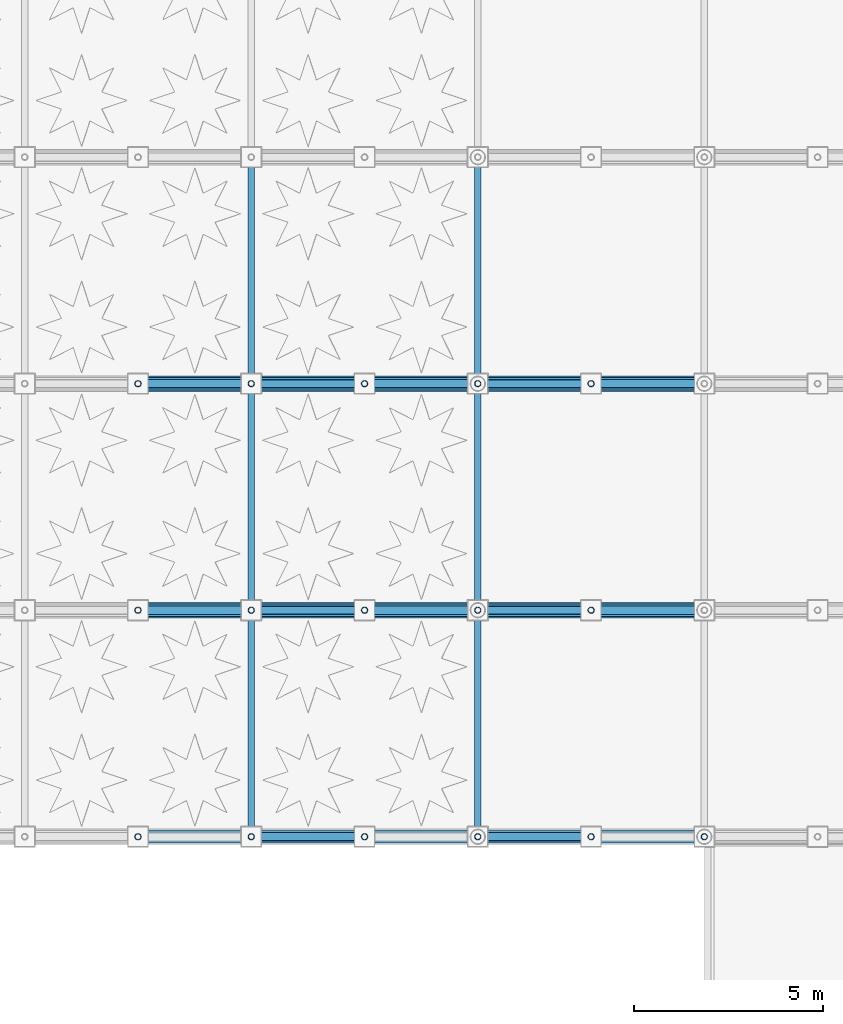
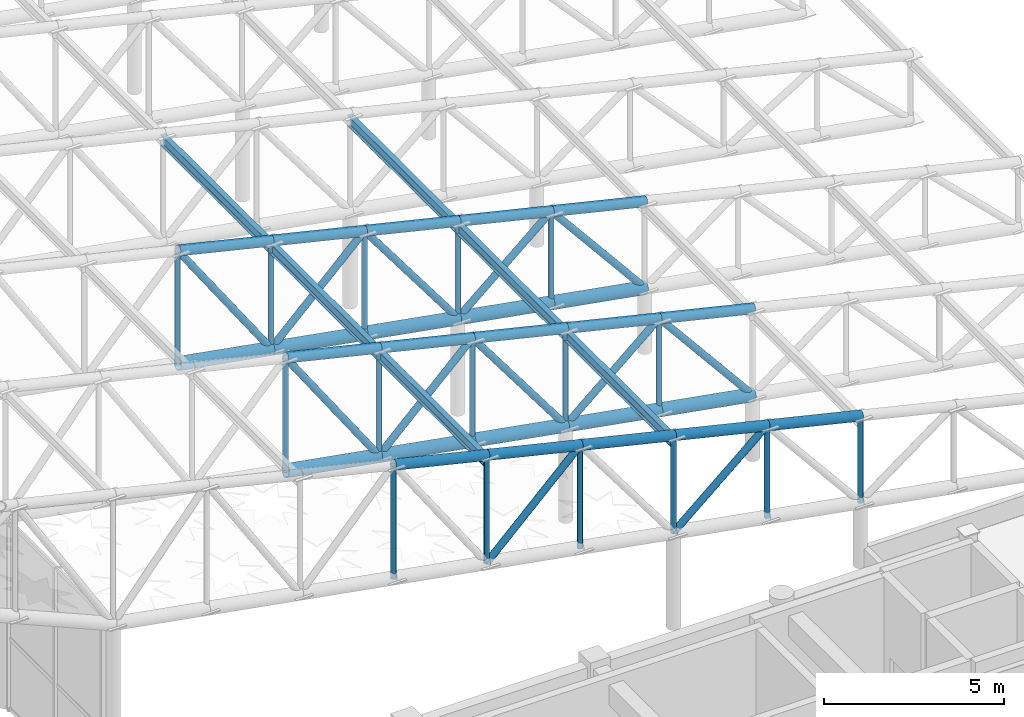
# One storey, part 57 of 112: 53 members, 6 beams.
"""IFC4 building model written with IfcOpenShell, lengths in metres."""

from ifc_helpers import new_model, si_unit, direction, frame, origin, origin_2d, place, context, subcontext, project, spatial, hollow_circle, i_section, extrude, material, material_profile, profile_set, type_object, element, save


model = new_model("IFC4")

# Units and contexts
model_context = context("Model", 3, precision=1e-05, world=origin(), true_north=direction((0.0, 1.0)))
body_context = subcontext(model_context, "Body", "Model", "MODEL_VIEW")
ifc_project = project(units=[si_unit("LENGTHUNIT", "METRE"), si_unit("AREAUNIT", "SQUARE_METRE"), si_unit("VOLUMEUNIT", "CUBIC_METRE"), si_unit("PLANEANGLEUNIT", "RADIAN"), si_unit("MASSUNIT", "GRAM", prefix="KILO"), si_unit("THERMODYNAMICTEMPERATUREUNIT", "KELVIN"), si_unit("POWERUNIT", "WATT")], contexts=[model_context])

# Site, building, storey
site_placement = place(None, origin())
site = spatial("IfcSite", under=ifc_project, at=site_placement, CompositionType="ELEMENT")
building_placement = place(site_placement, origin())
building = spatial("IfcBuilding", under=site, at=building_placement, Name="Phaisarnlok Congress Hotel", CompositionType="ELEMENT")
storey_placement = place(building_placement, frame((0.0, 0.0, 19.800048828125)))
storey = spatial("IfcBuildingStorey", under=building, at=storey_placement, Name="L04", CompositionType="ELEMENT", Elevation=19.800048828125)

# Beams
ifc_material = material(Name="Steel S355", Category="steel")
ifc_material_profile_1 = material_profile(ifc_material, i_section(OverallWidth=0.169921875, OverallDepth=0.360107421875, WebThickness=0.008056640625, FlangeThickness=0.0126953125, FilletRadius=0.01806640625, at=origin_2d()), Name="IPE 360")
ifc_profile_set_1 = profile_set([ifc_material_profile_1], Name="Steel S355")
beam_type = type_object("IfcBeamType", Name="JS-STL-IPE360", PredefinedType="JOIST", material=ifc_profile_set_1)
for number, where, z_axis, x_axis, name in (
    (1, (138.0, 48.0, 6.30419921875), (0.0, 1.0, 0.0), (-1.0, 0.0, 0.0), "Cloister wing roof purlin"),
    (2, (132.0, 48.0, 7.736328125), (0.0, 1.0, 0.0), (-1.0, 0.0, 0.0), "Cloister wing roof purlin"),
    (3, (138.0, 54.0, 6.30419921875), (0.0, 1.0, 0.0), (-1.0, 0.0, 0.0), "Cloister wing roof purlin"),
    (4, (132.0, 54.0, 7.736328125), (0.0, 1.0, 0.0), (-1.0, 0.0, 0.0), "Cloister wing roof purlin"),
    (5, (138.0, 60.0, 6.30419921875), (0.0, 1.0, 0.0), (-1.0, 0.0, 0.0), "Cloister wing roof purlin"),
    (6, (132.0, 60.0, 7.736328125), (0.0, 1.0, 0.0), (-1.0, 0.0, 0.0), "Cloister wing roof purlin"),
):
    element("IfcBeam", number, at=place(storey_placement, frame(where, z_axis=z_axis, x_axis=x_axis)), inside=storey, type_object=beam_type, Name=name, PredefinedType="JOIST", context=body_context, shape_type="SweptSolid", body=[
        extrude(i_section(OverallWidth=0.169921875, OverallDepth=0.360107421875, WebThickness=0.008056640625, FlangeThickness=0.0126953125, FilletRadius=0.01806640625, at=origin_2d()), origin(), (0.0, 0.0, 1.0), 6.0),
    ])

# Members
ifc_material_profile_2 = material_profile(ifc_material, hollow_circle(Radius=0.084228515625, WallThickness=0.010009765625, at=origin_2d()), Name="CHS 168.3x10")
ifc_profile_set_2 = profile_set([ifc_material_profile_2], Name="Steel S355")
member_type_1 = type_object("IfcMemberType", Name="MEM-BRC-CHS168", PredefinedType="BRACE", material=ifc_profile_set_2)
member_1_placement = place(storey_placement, frame((144.0, 48.0, 2.13330078125), z_axis=(0.0, 0.0, 1.0), x_axis=(1.0, 0.0, 0.0)))
element("IfcMember", 7, at=member_1_placement, inside=storey, type_object=member_type_1, Name="Cloister wing roof truss vertical web", PredefinedType="BRACE", context=body_context, shape_type="SweptSolid", body=[
    extrude(hollow_circle(Radius=0.084228515625, WallThickness=0.010009765625, at=origin_2d()), origin(), (0.0, 0.0, 1.0), 2.930908203125),
])
member_2_placement = place(storey_placement, frame((141.0, 48.0, 2.66650390625), z_axis=(0.0, 0.0, 1.0), x_axis=(1.0, 0.0, 0.0)))
element("IfcMember", 8, at=member_2_placement, inside=storey, type_object=member_type_1, Name="Cloister wing roof truss vertical web", PredefinedType="BRACE", context=body_context, shape_type="SweptSolid", body=[
    extrude(hollow_circle(Radius=0.084228515625, WallThickness=0.010009765625, at=origin_2d()), origin(), (0.0, 0.0, 1.0), 3.11376953125),
])
member_3_placement = place(storey_placement, frame((138.0, 48.0, 3.199951171875), z_axis=(0.0, 0.0, 1.0), x_axis=(1.0, 0.0, 0.0)))
element("IfcMember", 9, at=member_3_placement, inside=storey, type_object=member_type_1, Name="Cloister wing roof truss vertical web", PredefinedType="BRACE", context=body_context, shape_type="SweptSolid", body=[
    extrude(hollow_circle(Radius=0.084228515625, WallThickness=0.010009765625, at=origin_2d()), origin(), (0.0, 0.0, 1.0), 3.29638671875),
])
member_4_placement = place(storey_placement, frame((135.0, 48.0, 3.7333984375), z_axis=(0.0, 0.0, 1.0), x_axis=(1.0, 0.0, 0.0)))
element("IfcMember", 10, at=member_4_placement, inside=storey, type_object=member_type_1, Name="Cloister wing roof truss vertical web", PredefinedType="BRACE", context=body_context, shape_type="SweptSolid", body=[
    extrude(hollow_circle(Radius=0.084228515625, WallThickness=0.010009765625, at=origin_2d()), origin(), (0.0, 0.0, 1.0), 3.47900390625),
])
member_5_placement = place(storey_placement, frame((132.0, 48.0, 4.2666015625), z_axis=(0.0, 0.0, 1.0), x_axis=(1.0, 0.0, 0.0)))
element("IfcMember", 11, at=member_5_placement, inside=storey, type_object=member_type_1, Name="Cloister wing roof truss vertical web", PredefinedType="BRACE", context=body_context, shape_type="SweptSolid", body=[
    extrude(hollow_circle(Radius=0.084228515625, WallThickness=0.010009765625, at=origin_2d()), origin(), (0.0, 0.0, 1.0), 3.661865234375),
])
member_6_placement = place(storey_placement, frame((129.0, 48.0, 4.800048828125), z_axis=(0.0, 0.0, 1.0), x_axis=(1.0, 0.0, 0.0)))
element("IfcMember", 12, at=member_6_placement, inside=storey, type_object=member_type_1, Name="Cloister wing roof truss vertical web", PredefinedType="BRACE", context=body_context, shape_type="SweptSolid", body=[
    extrude(hollow_circle(Radius=0.084228515625, WallThickness=0.010009765625, at=origin_2d()), origin(), (0.0, 0.0, 1.0), 3.84423828125),
])
member_7_placement = place(storey_placement, frame((141.0, 54.0, 2.66650390625), z_axis=(0.0, 0.0, 1.0), x_axis=(1.0, 0.0, 0.0)))
element("IfcMember", 13, at=member_7_placement, inside=storey, type_object=member_type_1, Name="Cloister wing roof truss vertical web", PredefinedType="BRACE", context=body_context, shape_type="SweptSolid", body=[
    extrude(hollow_circle(Radius=0.084228515625, WallThickness=0.010009765625, at=origin_2d()), origin(), (0.0, 0.0, 1.0), 3.11376953125),
])
member_8_placement = place(storey_placement, frame((138.0, 54.0, 3.199951171875), z_axis=(0.0, 0.0, 1.0), x_axis=(1.0, 0.0, 0.0)))
element("IfcMember", 14, at=member_8_placement, inside=storey, type_object=member_type_1, Name="Cloister wing roof truss vertical web", PredefinedType="BRACE", context=body_context, shape_type="SweptSolid", body=[
    extrude(hollow_circle(Radius=0.084228515625, WallThickness=0.010009765625, at=origin_2d()), origin(), (0.0, 0.0, 1.0), 3.29638671875),
])
member_9_placement = place(storey_placement, frame((135.0, 54.0, 3.7333984375), z_axis=(0.0, 0.0, 1.0), x_axis=(1.0, 0.0, 0.0)))
element("IfcMember", 15, at=member_9_placement, inside=storey, type_object=member_type_1, Name="Cloister wing roof truss vertical web", PredefinedType="BRACE", context=body_context, shape_type="SweptSolid", body=[
    extrude(hollow_circle(Radius=0.084228515625, WallThickness=0.010009765625, at=origin_2d()), origin(), (0.0, 0.0, 1.0), 3.47900390625),
])
member_10_placement = place(storey_placement, frame((132.0, 54.0, 4.2666015625), z_axis=(0.0, 0.0, 1.0), x_axis=(1.0, 0.0, 0.0)))
element("IfcMember", 16, at=member_10_placement, inside=storey, type_object=member_type_1, Name="Cloister wing roof truss vertical web", PredefinedType="BRACE", context=body_context, shape_type="SweptSolid", body=[
    extrude(hollow_circle(Radius=0.084228515625, WallThickness=0.010009765625, at=origin_2d()), origin(), (0.0, 0.0, 1.0), 3.661865234375),
])
member_11_placement = place(storey_placement, frame((129.0, 54.0, 4.800048828125), z_axis=(0.0, 0.0, 1.0), x_axis=(1.0, 0.0, 0.0)))
element("IfcMember", 17, at=member_11_placement, inside=storey, type_object=member_type_1, Name="Cloister wing roof truss vertical web", PredefinedType="BRACE", context=body_context, shape_type="SweptSolid", body=[
    extrude(hollow_circle(Radius=0.084228515625, WallThickness=0.010009765625, at=origin_2d()), origin(), (0.0, 0.0, 1.0), 3.84423828125),
])
member_12_placement = place(storey_placement, frame((141.0, 60.0, 2.66650390625), z_axis=(0.0, 0.0, 1.0), x_axis=(1.0, 0.0, 0.0)))
element("IfcMember", 18, at=member_12_placement, inside=storey, type_object=member_type_1, Name="Cloister wing roof truss vertical web", PredefinedType="BRACE", context=body_context, shape_type="SweptSolid", body=[
    extrude(hollow_circle(Radius=0.084228515625, WallThickness=0.010009765625, at=origin_2d()), origin(), (0.0, 0.0, 1.0), 3.11376953125),
])
member_13_placement = place(storey_placement, frame((138.0, 60.0, 3.199951171875), z_axis=(0.0, 0.0, 1.0), x_axis=(1.0, 0.0, 0.0)))
element("IfcMember", 19, at=member_13_placement, inside=storey, type_object=member_type_1, Name="Cloister wing roof truss vertical web", PredefinedType="BRACE", context=body_context, shape_type="SweptSolid", body=[
    extrude(hollow_circle(Radius=0.084228515625, WallThickness=0.010009765625, at=origin_2d()), origin(), (0.0, 0.0, 1.0), 3.29638671875),
])
member_14_placement = place(storey_placement, frame((135.0, 60.0, 3.7333984375), z_axis=(0.0, 0.0, 1.0), x_axis=(1.0, 0.0, 0.0)))
element("IfcMember", 20, at=member_14_placement, inside=storey, type_object=member_type_1, Name="Cloister wing roof truss vertical web", PredefinedType="BRACE", context=body_context, shape_type="SweptSolid", body=[
    extrude(hollow_circle(Radius=0.084228515625, WallThickness=0.010009765625, at=origin_2d()), origin(), (0.0, 0.0, 1.0), 3.47900390625),
])
member_15_placement = place(storey_placement, frame((132.0, 60.0, 4.2666015625), z_axis=(0.0, 0.0, 1.0), x_axis=(1.0, 0.0, 0.0)))
element("IfcMember", 21, at=member_15_placement, inside=storey, type_object=member_type_1, Name="Cloister wing roof truss vertical web", PredefinedType="BRACE", context=body_context, shape_type="SweptSolid", body=[
    extrude(hollow_circle(Radius=0.084228515625, WallThickness=0.010009765625, at=origin_2d()), origin(), (0.0, 0.0, 1.0), 3.661865234375),
])
member_16_placement = place(storey_placement, frame((129.0, 60.0, 4.800048828125), z_axis=(0.0, 0.0, 1.0), x_axis=(1.0, 0.0, 0.0)))
element("IfcMember", 22, at=member_16_placement, inside=storey, type_object=member_type_1, Name="Cloister wing roof truss vertical web", PredefinedType="BRACE", context=body_context, shape_type="SweptSolid", body=[
    extrude(hollow_circle(Radius=0.084228515625, WallThickness=0.010009765625, at=origin_2d()), origin(), (0.0, 0.0, 1.0), 3.84423828125),
])
ifc_material_profile_3 = material_profile(ifc_material, hollow_circle(Radius=0.109619140625, WallThickness=0.012451171875, at=origin_2d()), Name="CHS 219.1x12.5")
ifc_profile_set_3 = profile_set([ifc_material_profile_3], Name="Steel S355")
member_type_2 = type_object("IfcMemberType", Name="MEM-BRC-CHS219", PredefinedType="BRACE", material=ifc_profile_set_3)
member_17_placement = place(storey_placement, frame((138.0, 48.0, 3.199951171875), z_axis=(0.758144932989, 0.0, 0.652086083721), x_axis=(0.0, 1.0, 0.0)))
element("IfcMember", 23, at=member_17_placement, inside=storey, type_object=member_type_2, Name="Cloister wing roof truss diagonal brace", PredefinedType="BRACE", context=body_context, shape_type="SweptSolid", body=[
    extrude(hollow_circle(Radius=0.109619140625, WallThickness=0.012451171875, at=origin_2d()), origin(), (0.0, 0.0, 1.0), 3.95703125),
])
member_18_placement = place(storey_placement, frame((132.0, 48.0, 4.2666015625), z_axis=(0.713522801545, 0.0, 0.700632008743), x_axis=(0.0, 1.0, 0.0)))
element("IfcMember", 24, at=member_18_placement, inside=storey, type_object=member_type_2, Name="Cloister wing roof truss diagonal brace", PredefinedType="BRACE", context=body_context, shape_type="SweptSolid", body=[
    extrude(hollow_circle(Radius=0.109619140625, WallThickness=0.012451171875, at=origin_2d()), origin(), (0.0, 0.0, 1.0), 4.20458984375),
])
member_19_placement = place(storey_placement, frame((144.0, 54.0, 2.13330078125), z_axis=(-0.635279491177, 0.0, 0.772282311133), x_axis=(0.0, -1.0, 0.0)))
element("IfcMember", 25, at=member_19_placement, inside=storey, type_object=member_type_2, Name="Cloister wing roof truss diagonal brace", PredefinedType="BRACE", context=body_context, shape_type="SweptSolid", body=[
    extrude(hollow_circle(Radius=0.109619140625, WallThickness=0.012451171875, at=origin_2d()), origin(), (0.0, 0.0, 1.0), 4.722412109375),
])
member_20_placement = place(storey_placement, frame((138.0, 54.0, 3.199951171875), z_axis=(0.758144932989, 0.0, 0.652086083721), x_axis=(0.0, 1.0, 0.0)))
element("IfcMember", 26, at=member_20_placement, inside=storey, type_object=member_type_2, Name="Cloister wing roof truss diagonal brace", PredefinedType="BRACE", context=body_context, shape_type="SweptSolid", body=[
    extrude(hollow_circle(Radius=0.109619140625, WallThickness=0.012451171875, at=origin_2d()), origin(), (0.0, 0.0, 1.0), 3.95703125),
])
member_21_placement = place(storey_placement, frame((138.0, 54.0, 3.199951171875), z_axis=(-0.598806398303, 0.0, 0.800893811533), x_axis=(0.0, -1.0, 0.0)))
element("IfcMember", 27, at=member_21_placement, inside=storey, type_object=member_type_2, Name="Cloister wing roof truss diagonal brace", PredefinedType="BRACE", context=body_context, shape_type="SweptSolid", body=[
    extrude(hollow_circle(Radius=0.109619140625, WallThickness=0.012451171875, at=origin_2d()), origin(), (0.0, 0.0, 1.0), 5.010009765625),
])
member_22_placement = place(storey_placement, frame((132.0, 54.0, 4.2666015625), z_axis=(0.713522801545, 0.0, 0.700632008743), x_axis=(0.0, 1.0, 0.0)))
element("IfcMember", 28, at=member_22_placement, inside=storey, type_object=member_type_2, Name="Cloister wing roof truss diagonal brace", PredefinedType="BRACE", context=body_context, shape_type="SweptSolid", body=[
    extrude(hollow_circle(Radius=0.109619140625, WallThickness=0.012451171875, at=origin_2d()), origin(), (0.0, 0.0, 1.0), 4.20458984375),
])
member_23_placement = place(storey_placement, frame((132.0, 54.0, 4.2666015625), z_axis=(-0.565292311671, 0.0, 0.824890660855), x_axis=(0.0, -1.0, 0.0)))
element("IfcMember", 29, at=member_23_placement, inside=storey, type_object=member_type_2, Name="Cloister wing roof truss diagonal brace", PredefinedType="BRACE", context=body_context, shape_type="SweptSolid", body=[
    extrude(hollow_circle(Radius=0.109619140625, WallThickness=0.012451171875, at=origin_2d()), origin(), (0.0, 0.0, 1.0), 5.306884765625),
])
member_24_placement = place(storey_placement, frame((144.0, 60.0, 2.13330078125), z_axis=(-0.635279491177, 0.0, 0.772282311133), x_axis=(0.0, -1.0, 0.0)))
element("IfcMember", 30, at=member_24_placement, inside=storey, type_object=member_type_2, Name="Cloister wing roof truss diagonal brace", PredefinedType="BRACE", context=body_context, shape_type="SweptSolid", body=[
    extrude(hollow_circle(Radius=0.109619140625, WallThickness=0.012451171875, at=origin_2d()), origin(), (0.0, 0.0, 1.0), 4.722412109375),
])
member_25_placement = place(storey_placement, frame((138.0, 60.0, 3.199951171875), z_axis=(0.758144932989, 0.0, 0.652086083721), x_axis=(0.0, 1.0, 0.0)))
element("IfcMember", 31, at=member_25_placement, inside=storey, type_object=member_type_2, Name="Cloister wing roof truss diagonal brace", PredefinedType="BRACE", context=body_context, shape_type="SweptSolid", body=[
    extrude(hollow_circle(Radius=0.109619140625, WallThickness=0.012451171875, at=origin_2d()), origin(), (0.0, 0.0, 1.0), 3.95703125),
])
member_26_placement = place(storey_placement, frame((138.0, 60.0, 3.199951171875), z_axis=(-0.598806398303, 0.0, 0.800893811533), x_axis=(0.0, -1.0, 0.0)))
element("IfcMember", 32, at=member_26_placement, inside=storey, type_object=member_type_2, Name="Cloister wing roof truss diagonal brace", PredefinedType="BRACE", context=body_context, shape_type="SweptSolid", body=[
    extrude(hollow_circle(Radius=0.109619140625, WallThickness=0.012451171875, at=origin_2d()), origin(), (0.0, 0.0, 1.0), 5.010009765625),
])
member_27_placement = place(storey_placement, frame((132.0, 60.0, 4.2666015625), z_axis=(0.713522801545, 0.0, 0.700632008743), x_axis=(0.0, 1.0, 0.0)))
element("IfcMember", 33, at=member_27_placement, inside=storey, type_object=member_type_2, Name="Cloister wing roof truss diagonal brace", PredefinedType="BRACE", context=body_context, shape_type="SweptSolid", body=[
    extrude(hollow_circle(Radius=0.109619140625, WallThickness=0.012451171875, at=origin_2d()), origin(), (0.0, 0.0, 1.0), 4.20458984375),
])
member_28_placement = place(storey_placement, frame((132.0, 60.0, 4.2666015625), z_axis=(-0.565292311671, 0.0, 0.824890660855), x_axis=(0.0, -1.0, 0.0)))
element("IfcMember", 34, at=member_28_placement, inside=storey, type_object=member_type_2, Name="Cloister wing roof truss diagonal brace", PredefinedType="BRACE", context=body_context, shape_type="SweptSolid", body=[
    extrude(hollow_circle(Radius=0.109619140625, WallThickness=0.012451171875, at=origin_2d()), origin(), (0.0, 0.0, 1.0), 5.306884765625),
])
ifc_material_profile_4 = material_profile(ifc_material, hollow_circle(Radius=0.161865234375, WallThickness=0.01611328125, at=origin_2d()), Name="CHS 323.9x16")
ifc_profile_set_4 = profile_set([ifc_material_profile_4], Name="Steel S355")
member_type_3 = type_object("IfcMemberType", Name="MEM-CHD-CHS324", PredefinedType="CHORD", material=ifc_profile_set_4)
for number, where, z_axis, x_axis, name in (
    (35, (144.0, 48.0, 5.064208984375), (-0.972676115692, 0.0, 0.232166263617), (0.0, -1.0, 0.0), "Cloister wing roof truss top chord"),
    (36, (141.0, 48.0, 5.7802734375), (-0.972676115692, 0.0, 0.232166263617), (0.0, -1.0, 0.0), "Cloister wing roof truss top chord"),
    (37, (138.0, 48.0, 6.496337890625), (-0.972676115692, 0.0, 0.232166263617), (0.0, -1.0, 0.0), "Cloister wing roof truss top chord"),
    (38, (135.0, 48.0, 7.21240234375), (-0.972676115692, 0.0, 0.232166263617), (0.0, -1.0, 0.0), "Cloister wing roof truss top chord"),
    (39, (132.0, 48.0, 7.928466796875), (-0.972693988482, 0.0, 0.232091371601), (0.0, -1.0, 0.0), "Cloister wing roof truss top chord"),
    (40, (144.0, 54.0, 5.064208984375), (-0.972676115692, 0.0, 0.232166263617), (0.0, -1.0, 0.0), "Cloister wing roof truss top chord"),
    (41, (141.0, 54.0, 5.7802734375), (-0.972676115692, 0.0, 0.232166263617), (0.0, -1.0, 0.0), "Cloister wing roof truss top chord"),
    (42, (138.0, 54.0, 6.496337890625), (-0.972676115692, 0.0, 0.232166263617), (0.0, -1.0, 0.0), "Cloister wing roof truss top chord"),
    (43, (135.0, 54.0, 7.21240234375), (-0.972676115692, 0.0, 0.232166263617), (0.0, -1.0, 0.0), "Cloister wing roof truss top chord"),
    (44, (132.0, 54.0, 7.928466796875), (-0.972693988482, 0.0, 0.232091371601), (0.0, -1.0, 0.0), "Cloister wing roof truss top chord"),
    (45, (144.0, 60.0, 5.064208984375), (-0.972676115692, 0.0, 0.232166263617), (0.0, -1.0, 0.0), "Cloister wing roof truss top chord"),
    (46, (141.0, 60.0, 5.7802734375), (-0.972676115692, 0.0, 0.232166263617), (0.0, -1.0, 0.0), "Cloister wing roof truss top chord"),
    (47, (138.0, 60.0, 6.496337890625), (-0.972676115692, 0.0, 0.232166263617), (0.0, -1.0, 0.0), "Cloister wing roof truss top chord"),
    (48, (135.0, 60.0, 7.21240234375), (-0.972676115692, 0.0, 0.232166263617), (0.0, -1.0, 0.0), "Cloister wing roof truss top chord"),
    (49, (132.0, 60.0, 7.928466796875), (-0.972693988482, 0.0, 0.232091371601), (0.0, -1.0, 0.0), "Cloister wing roof truss top chord"),
):
    element("IfcMember", number, at=place(storey_placement, frame(where, z_axis=z_axis, x_axis=x_axis)), inside=storey, type_object=member_type_3, Name=name, PredefinedType="CHORD", context=body_context, shape_type="SweptSolid", body=[
        extrude(hollow_circle(Radius=0.161865234375, WallThickness=0.01611328125, at=origin_2d()), origin(), (0.0, 0.0, 1.0), 3.084228515625),
    ])
ifc_material_profile_5 = material_profile(ifc_material, hollow_circle(Radius=0.203125, WallThickness=0.02001953125, at=origin_2d()), Name="CHS 406.4x20")
ifc_profile_set_5 = profile_set([ifc_material_profile_5], Name="Steel S355")
member_type_4 = type_object("IfcMemberType", Name="MEM-CHD-CHS406", PredefinedType="CHORD", material=ifc_profile_set_5)
for number, where, z_axis, x_axis, name in (
    (50, (144.0, 54.0, 2.13330078125), (-0.984569871158, 0.0, 0.174991910694), (0.0, -1.0, 0.0), "Cloister wing roof truss bottom chord"),
    (51, (141.0, 54.0, 2.66650390625), (-0.984556063496, 0.0, 0.175069579976), (0.0, -1.0, 0.0), "Cloister wing roof truss bottom chord"),
    (52, (138.0, 54.0, 3.199951171875), (-0.984556063496, 0.0, 0.175069579976), (0.0, -1.0, 0.0), "Cloister wing roof truss bottom chord"),
    (53, (135.0, 54.0, 3.7333984375), (-0.984569871158, 0.0, 0.174991910694), (0.0, -1.0, 0.0), "Cloister wing roof truss bottom chord"),
    (54, (132.0, 54.0, 4.2666015625), (-0.984556063496, 0.0, 0.175069579976), (0.0, -1.0, 0.0), "Cloister wing roof truss bottom chord"),
    (55, (144.0, 60.0, 2.13330078125), (-0.984569871158, 0.0, 0.174991910694), (0.0, -1.0, 0.0), "Cloister wing roof truss bottom chord"),
    (56, (141.0, 60.0, 2.66650390625), (-0.984556063496, 0.0, 0.175069579976), (0.0, -1.0, 0.0), "Cloister wing roof truss bottom chord"),
    (57, (138.0, 60.0, 3.199951171875), (-0.984556063496, 0.0, 0.175069579976), (0.0, -1.0, 0.0), "Cloister wing roof truss bottom chord"),
    (58, (135.0, 60.0, 3.7333984375), (-0.984569871158, 0.0, 0.174991910694), (0.0, -1.0, 0.0), "Cloister wing roof truss bottom chord"),
    (59, (132.0, 60.0, 4.2666015625), (-0.984556063496, 0.0, 0.175069579976), (0.0, -1.0, 0.0), "Cloister wing roof truss bottom chord"),
):
    element("IfcMember", number, at=place(storey_placement, frame(where, z_axis=z_axis, x_axis=x_axis)), inside=storey, type_object=member_type_4, Name=name, PredefinedType="CHORD", context=body_context, shape_type="SweptSolid", body=[
        extrude(hollow_circle(Radius=0.203125, WallThickness=0.02001953125, at=origin_2d()), origin(), (0.0, 0.0, 1.0), 3.047119140625),
    ])

save(model, "model.ifc")
